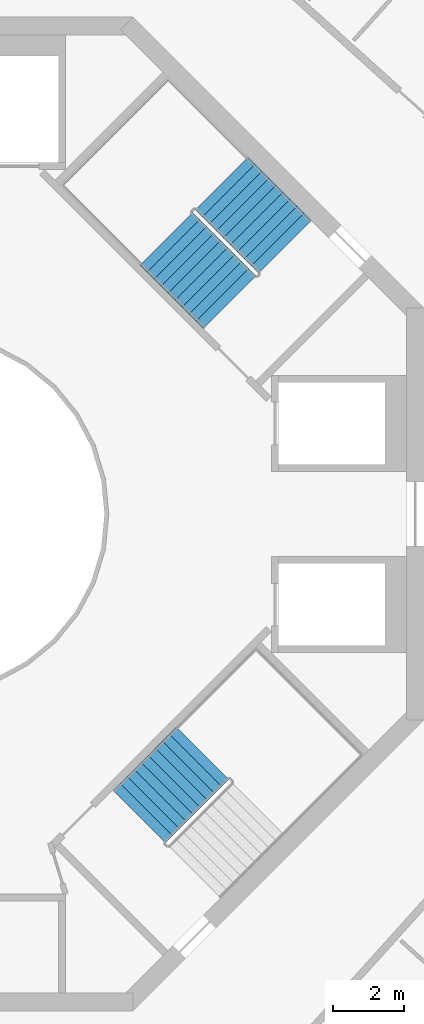
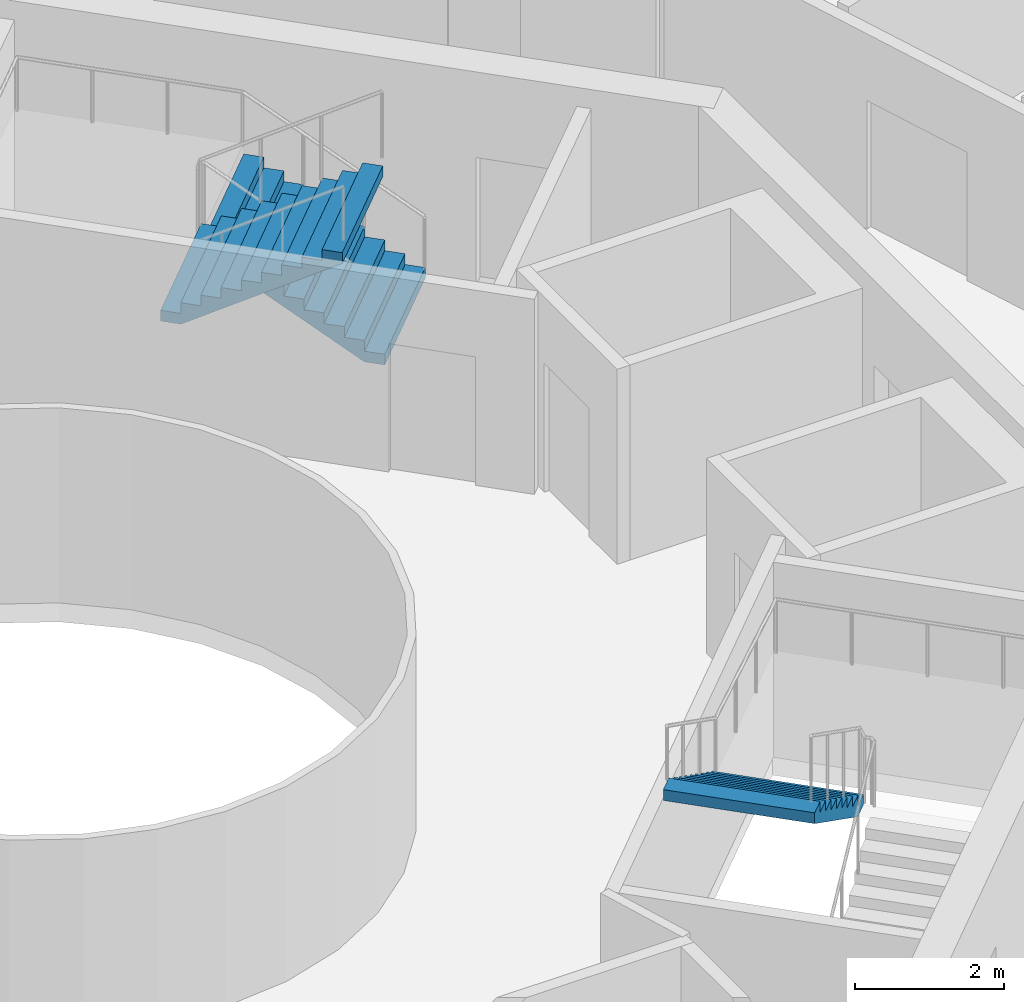
# One storey, part 21 of 22: 3 stair flights, 2 elements without a shape of their own.
"""IFC4 building model written with IfcOpenShell, lengths in metres."""

from ifc_helpers import new_model, si_unit, direction, frame, origin, place, context, subcontext, project, spatial, triangles, material, type_object, element, aggregate, save


model = new_model("IFC4")

# Units and contexts
model_context = context("Model", 3, precision=1e-05, world=origin(), true_north=direction((0.0, 1.0)))
body_context = subcontext(model_context, "Body", "Model", "MODEL_VIEW")
ifc_project = project(units=[si_unit("LENGTHUNIT", "METRE"), si_unit("AREAUNIT", "SQUARE_METRE"), si_unit("VOLUMEUNIT", "CUBIC_METRE"), si_unit("PLANEANGLEUNIT", "RADIAN"), si_unit("MASSUNIT", "GRAM", prefix="KILO")], contexts=[model_context])

# Site, building, storey
site_placement = place(None, origin())
site = spatial("IfcSite", under=ifc_project, at=site_placement, CompositionType="ELEMENT")
building_placement = place(site_placement, origin())
building = spatial("IfcBuilding", under=site, at=building_placement, Name="Verdalira Terraces Hotel", CompositionType="ELEMENT")
storey_placement = place(building_placement, frame((0.0, 0.0, 230.5)))
storey = spatial("IfcBuildingStorey", under=building, at=storey_placement, Name="L56", CompositionType="ELEMENT", Elevation=230.5)

# Stair, stair flights
ifc_material_1 = material(Name="Concrete C40", Category="concrete")
stair_type = type_object("IfcStairType", Name="Core stair 20 risers 2100 mm wide", PredefinedType="HALF_TURN_STAIR", material=ifc_material_1)
stair_1_placement = place(storey_placement, origin())
stair_1 = element("IfcStair", 1, at=stair_1_placement, inside=storey, type_object=stair_type, Name="L56 Exit stair ST1", PredefinedType="HALF_TURN_STAIR")
ifc_material_2 = material(Name="Concrete C40", Category="concrete")
stair_flight_type = type_object("IfcStairFlightType", Name="Core stair flight 20 risers 2100 mm wide", PredefinedType="STRAIGHT", material=ifc_material_2)
stair_flight_1_placement = place(storey_placement, frame((10.076172, 7.530762, 0.0), z_axis=(0.0, 0.0, 1.0), x_axis=(-0.707106781, 0.707106781, 0.0)))
stair_flight_1 = element("IfcStairFlight", 2, at=stair_flight_1_placement, type_object=stair_flight_type, Name="ST1 flight 1", NumberOfRisers=10, NumberOfTreads=9, PredefinedType="STRAIGHT", RiserHeight=0.175, TreadLength=0.28, context=body_context, shape_type="Tessellation", body=[
    triangles([(0.0, 1.050049, 0.0), (0.282715, 1.050049, 0.0), (2.52002, 1.050049, 1.398193), (0.0, -1.050049, 0.0), (0.282715, -1.050049, 0.0), (2.52002, -1.050049, 1.398193), (2.52002, 1.050049, 1.574951), (2.23999, 1.050049, 1.574951), (2.52002, -1.050049, 1.574951), (2.23999, -1.050049, 1.574951), (2.23999, 1.050049, 1.399902), (2.23999, -1.050049, 1.399902), (1.959961, 1.050049, 1.399902), (1.959961, -1.050049, 1.399902), (1.959961, 1.050049, 1.225098), (1.959961, -1.050049, 1.225098), (1.679932, 1.050049, 1.225098), (1.679932, 1.050049, 1.050049), (1.679932, -1.050049, 1.225098), (1.679932, -1.050049, 1.050049), (1.399902, 1.050049, 1.050049), (1.399902, 1.050049, 0.875), (1.399902, -1.050049, 1.050049), (1.399902, -1.050049, 0.875), (1.120117, 1.050049, 0.875), (1.120117, 1.050049, 0.699951), (1.120117, -1.050049, 0.875), (1.120117, -1.050049, 0.699951), (0.840088, 1.050049, 0.699951), (0.840088, 1.050049, 0.524902), (0.840088, -1.050049, 0.699951), (0.840088, -1.050049, 0.524902), (0.560059, 1.050049, 0.524902), (0.560059, 1.050049, 0.350098), (0.560059, -1.050049, 0.524902), (0.560059, -1.050049, 0.350098), (0.280029, 1.050049, 0.350098), (0.280029, 1.050049, 0.175049), (0.280029, -1.050049, 0.350098), (0.280029, -1.050049, 0.175049), (0.0, 1.050049, 0.175049), (0.0, -1.050049, 0.175049), (0.0, -0.984421, 0.0), (0.0, -0.984421, 0.175049), (0.0, -0.918793, 0.0), (0.0, -0.918793, 0.175049), (0.0, -0.853165, 0.0), (0.0, -0.853165, 0.175049), (0.0, -0.787537, 0.0), (0.0, -0.787537, 0.175049), (0.0, -0.721909, 0.0), (0.0, -0.721909, 0.175049), (0.0, -0.656281, 0.0), (0.0, -0.656281, 0.175049), (0.0, -0.590652, 0.0), (0.0, -0.590652, 0.175049), (0.0, -0.525024, 0.0), (0.0, -0.525024, 0.175049), (0.0, -0.459396, 0.0), (0.0, -0.459396, 0.175049), (0.0, -0.393768, 0.0), (0.0, -0.393768, 0.175049), (0.0, -0.32814, 0.0), (0.0, -0.32814, 0.175049), (0.0, -0.262512, 0.0), (0.0, -0.262512, 0.175049), (0.0, -0.196884, 0.0), (0.0, -0.196884, 0.175049), (0.0, -0.131256, 0.0), (0.0, -0.131256, 0.175049), (0.0, -0.065628, 0.0), (0.0, -0.065628, 0.175049), (0.0, 0.0, 0.0), (0.0, 0.0, 0.175049), (0.0, 0.065628, 0.0), (0.0, 0.065628, 0.175049), (0.0, 0.131256, 0.0), (0.0, 0.131256, 0.175049), (0.0, 0.196884, 0.0), (0.0, 0.196884, 0.175049), (0.0, 0.262512, 0.0), (0.0, 0.262512, 0.175049), (0.0, 0.32814, 0.0), (0.0, 0.32814, 0.175049), (0.0, 0.393768, 0.0), (0.0, 0.393768, 0.175049), (0.0, 0.459396, 0.0), (0.0, 0.459396, 0.175049), (0.0, 0.525024, 0.0), (0.0, 0.525024, 0.175049), (0.0, 0.590652, 0.0), (0.0, 0.590652, 0.175049), (0.0, 0.656281, 0.0), (0.0, 0.656281, 0.175049), (0.0, 0.721909, 0.0), (0.0, 0.721909, 0.175049), (0.0, 0.787537, 0.0), (0.0, 0.787537, 0.175049), (0.0, 0.853165, 0.0), (0.0, 0.853165, 0.175049), (0.0, 0.918793, 0.0), (0.0, 0.918793, 0.175049), (0.0, 0.984421, 0.0), (0.0, 0.984421, 0.175049), (2.52002, -0.984421, 1.574951), (2.52002, -0.918793, 1.574951), (2.52002, -0.853165, 1.574951), (2.52002, -0.787537, 1.574951), (2.52002, -0.721909, 1.574951), (2.52002, -0.656281, 1.574951), (2.52002, -0.590652, 1.574951), (2.52002, -0.525024, 1.574951), (2.52002, -0.459396, 1.574951), (2.52002, -0.393768, 1.574951), (2.52002, -0.32814, 1.574951), (2.52002, -0.262512, 1.574951), (2.52002, -0.196884, 1.574951), (2.52002, -0.131256, 1.574951), (2.52002, -0.065628, 1.574951), (2.52002, 0.0, 1.574951), (2.52002, 0.065628, 1.574951), (2.52002, 0.131256, 1.574951), (2.52002, 0.196884, 1.574951), (2.52002, 0.262512, 1.574951), (2.52002, 0.32814, 1.574951), (2.52002, 0.393768, 1.574951), (2.52002, 0.459396, 1.574951), (2.52002, 0.525024, 1.574951), (2.52002, 0.590652, 1.574951), (2.52002, 0.656281, 1.574951), (2.52002, 0.721909, 1.574951), (2.52002, 0.787537, 1.574951), (2.52002, 0.853165, 1.574951), (2.52002, 0.918793, 1.574951), (2.52002, 0.984421, 1.574951), (2.52002, -0.984421, 1.398193), (2.52002, -0.918793, 1.398193), (2.52002, -0.853165, 1.398193), (2.52002, -0.787537, 1.398193), (2.52002, -0.721909, 1.398193), (2.52002, -0.656281, 1.398193), (2.52002, -0.590652, 1.398193), (2.52002, -0.525024, 1.398193), (2.52002, -0.459396, 1.398193), (2.52002, -0.393768, 1.398193), (2.52002, -0.32814, 1.398193), (2.52002, -0.262512, 1.398193), (2.52002, -0.196884, 1.398193), (2.52002, -0.131256, 1.398193), (2.52002, -0.065628, 1.398193), (2.52002, 0.0, 1.398193), (2.52002, 0.065628, 1.398193), (2.52002, 0.131256, 1.398193), (2.52002, 0.196884, 1.398193), (2.52002, 0.262512, 1.398193), (2.52002, 0.32814, 1.398193), (2.52002, 0.393768, 1.398193), (2.52002, 0.459396, 1.398193), (2.52002, 0.525024, 1.398193), (2.52002, 0.590652, 1.398193), (2.52002, 0.656281, 1.398193), (2.52002, 0.721909, 1.398193), (2.52002, 0.787537, 1.398193), (2.52002, 0.853165, 1.398193), (2.52002, 0.918793, 1.398193), (2.52002, 0.984421, 1.398193)], [[1, 3, 2], [4, 5, 6], [3, 8, 7], [6, 9, 10], [3, 11, 8], [6, 10, 12], [3, 13, 11], [6, 12, 14], [3, 15, 13], [6, 14, 16], [15, 18, 17], [16, 19, 20], [3, 18, 15], [6, 16, 20], [18, 22, 21], [20, 23, 24], [3, 22, 18], [6, 20, 24], [22, 26, 25], [24, 27, 28], [3, 26, 22], [6, 24, 28], [26, 30, 29], [28, 31, 32], [3, 30, 26], [6, 28, 32], [1, 30, 3], [4, 6, 32], [30, 34, 33], [32, 35, 36], [34, 38, 37], [36, 39, 40], [30, 38, 34], [32, 36, 40], [1, 38, 30], [4, 32, 40], [38, 1, 41], [40, 42, 4], [4, 44, 43], [4, 42, 44], [43, 46, 45], [43, 44, 46], [45, 48, 47], [45, 46, 48], [47, 50, 49], [47, 48, 50], [49, 52, 51], [49, 50, 52], [51, 54, 53], [51, 52, 54], [53, 56, 55], [53, 54, 56], [55, 58, 57], [55, 56, 58], [57, 60, 59], [57, 58, 60], [59, 62, 61], [59, 60, 62], [61, 64, 63], [61, 62, 64], [63, 66, 65], [63, 64, 66], [65, 68, 67], [65, 66, 68], [67, 70, 69], [67, 68, 70], [69, 72, 71], [69, 70, 72], [71, 74, 73], [71, 72, 74], [73, 76, 75], [73, 74, 76], [75, 78, 77], [75, 76, 78], [77, 80, 79], [77, 78, 80], [79, 82, 81], [79, 80, 82], [81, 84, 83], [81, 82, 84], [83, 86, 85], [83, 84, 86], [85, 88, 87], [85, 86, 88], [87, 90, 89], [87, 88, 90], [89, 92, 91], [89, 90, 92], [91, 94, 93], [91, 92, 94], [93, 96, 95], [93, 94, 96], [95, 98, 97], [95, 96, 98], [97, 100, 99], [97, 98, 100], [99, 102, 101], [99, 100, 102], [101, 104, 103], [101, 102, 104], [103, 41, 1], [103, 104, 41], [42, 40, 44], [44, 40, 46], [46, 40, 48], [48, 40, 50], [50, 40, 52], [52, 40, 54], [54, 40, 56], [56, 40, 58], [58, 40, 60], [60, 40, 62], [62, 40, 64], [64, 40, 66], [66, 40, 68], [68, 40, 70], [70, 40, 72], [72, 40, 74], [74, 40, 76], [76, 40, 78], [78, 40, 80], [80, 40, 82], [82, 40, 84], [84, 40, 86], [86, 40, 88], [88, 40, 90], [90, 40, 92], [92, 40, 94], [94, 40, 96], [96, 40, 98], [98, 40, 100], [100, 40, 102], [102, 40, 104], [104, 40, 41], [41, 40, 38], [40, 37, 38], [40, 39, 37], [39, 34, 37], [39, 36, 34], [36, 33, 34], [36, 35, 33], [35, 30, 33], [35, 32, 30], [32, 29, 30], [32, 31, 29], [31, 26, 29], [31, 28, 26], [28, 25, 26], [28, 27, 25], [27, 22, 25], [27, 24, 22], [24, 21, 22], [24, 23, 21], [23, 18, 21], [23, 20, 18], [20, 17, 18], [20, 19, 17], [19, 15, 17], [19, 16, 15], [16, 13, 15], [16, 14, 13], [14, 11, 13], [14, 12, 11], [12, 8, 11], [12, 10, 8], [9, 105, 10], [105, 106, 10], [106, 107, 10], [107, 108, 10], [108, 109, 10], [109, 110, 10], [110, 111, 10], [111, 112, 10], [112, 113, 10], [113, 114, 10], [114, 115, 10], [115, 116, 10], [116, 117, 10], [117, 118, 10], [118, 119, 10], [119, 120, 10], [120, 121, 10], [121, 122, 10], [122, 123, 10], [123, 124, 10], [124, 125, 10], [125, 126, 10], [126, 127, 10], [127, 128, 10], [128, 129, 10], [129, 130, 10], [130, 131, 10], [131, 132, 10], [132, 133, 10], [133, 134, 10], [134, 135, 10], [135, 7, 10], [7, 8, 10], [9, 136, 105], [9, 6, 136], [105, 137, 106], [105, 136, 137], [106, 138, 107], [106, 137, 138], [107, 139, 108], [107, 138, 139], [108, 140, 109], [108, 139, 140], [109, 141, 110], [109, 140, 141], [110, 142, 111], [110, 141, 142], [111, 143, 112], [111, 142, 143], [112, 144, 113], [112, 143, 144], [113, 145, 114], [113, 144, 145], [114, 146, 115], [114, 145, 146], [115, 147, 116], [115, 146, 147], [116, 148, 117], [116, 147, 148], [117, 149, 118], [117, 148, 149], [118, 150, 119], [118, 149, 150], [119, 151, 120], [119, 150, 151], [120, 152, 121], [120, 151, 152], [121, 153, 122], [121, 152, 153], [122, 154, 123], [122, 153, 154], [123, 155, 124], [123, 154, 155], [124, 156, 125], [124, 155, 156], [125, 157, 126], [125, 156, 157], [126, 158, 127], [126, 157, 158], [127, 159, 128], [127, 158, 159], [128, 160, 129], [128, 159, 160], [129, 161, 130], [129, 160, 161], [130, 162, 131], [130, 161, 162], [131, 163, 132], [131, 162, 163], [132, 164, 133], [132, 163, 164], [133, 165, 134], [133, 164, 165], [134, 166, 135], [134, 165, 166], [135, 3, 7], [135, 166, 3], [6, 5, 136], [136, 5, 137], [137, 5, 138], [138, 5, 139], [139, 5, 140], [140, 5, 141], [141, 5, 142], [142, 5, 143], [143, 5, 144], [144, 5, 145], [145, 5, 146], [146, 5, 147], [147, 5, 148], [148, 5, 149], [149, 5, 150], [150, 5, 151], [151, 5, 152], [152, 5, 153], [153, 5, 154], [154, 5, 155], [155, 5, 156], [156, 5, 157], [157, 5, 158], [158, 5, 159], [159, 5, 160], [160, 5, 161], [161, 5, 162], [162, 5, 163], [163, 5, 164], [164, 5, 165], [165, 5, 166], [166, 5, 3], [3, 5, 2], [4, 43, 5], [43, 45, 5], [45, 47, 5], [47, 49, 5], [49, 51, 5], [51, 53, 5], [53, 55, 5], [55, 57, 5], [57, 59, 5], [59, 61, 5], [61, 63, 5], [63, 65, 5], [65, 67, 5], [67, 69, 5], [69, 71, 5], [71, 73, 5], [73, 75, 5], [75, 77, 5], [77, 79, 5], [79, 81, 5], [81, 83, 5], [83, 85, 5], [85, 87, 5], [87, 89, 5], [89, 91, 5], [91, 93, 5], [93, 95, 5], [95, 97, 5], [97, 99, 5], [99, 101, 5], [101, 103, 5], [103, 1, 5], [1, 2, 5]], closed=True),
])
stair_flight_2_placement = place(storey_placement, frame((6.73877, 7.75708, 1.75), z_axis=(0.0, 0.0, 1.0), x_axis=(0.707106781, -0.707106781, 0.0)))
stair_flight_2 = element("IfcStairFlight", 3, at=stair_flight_2_placement, type_object=stair_flight_type, Name="ST1 flight 2", NumberOfRisers=10, NumberOfTreads=9, PredefinedType="STRAIGHT", RiserHeight=0.175, TreadLength=0.28, context=body_context, shape_type="Tessellation", body=[
    triangles([(0.0, 1.050049, 0.0), (0.282715, 1.050049, 0.0), (2.52002, 1.050049, 1.398193), (0.0, -1.050049, 0.0), (0.282715, -1.050049, 0.0), (2.52002, -1.050049, 1.398193), (2.52002, 1.050049, 1.574951), (2.23999, 1.050049, 1.574951), (2.52002, -1.050049, 1.574951), (2.23999, -1.050049, 1.574951), (2.23999, 1.050049, 1.399902), (2.23999, -1.050049, 1.399902), (1.959961, 1.050049, 1.399902), (1.959961, -1.050049, 1.399902), (1.959961, 1.050049, 1.225098), (1.959961, -1.050049, 1.225098), (1.679932, 1.050049, 1.225098), (1.679932, 1.050049, 1.050049), (1.679932, -1.050049, 1.225098), (1.679932, -1.050049, 1.050049), (1.399902, 1.050049, 1.050049), (1.399902, 1.050049, 0.875), (1.399902, -1.050049, 1.050049), (1.399902, -1.050049, 0.875), (1.120117, 1.050049, 0.875), (1.120117, 1.050049, 0.699951), (1.120117, -1.050049, 0.875), (1.120117, -1.050049, 0.699951), (0.840088, 1.050049, 0.699951), (0.840088, 1.050049, 0.524902), (0.840088, -1.050049, 0.699951), (0.840088, -1.050049, 0.524902), (0.560059, 1.050049, 0.524902), (0.560059, 1.050049, 0.350098), (0.560059, -1.050049, 0.524902), (0.560059, -1.050049, 0.350098), (0.280029, 1.050049, 0.350098), (0.280029, 1.050049, 0.175049), (0.280029, -1.050049, 0.350098), (0.280029, -1.050049, 0.175049), (0.0, 1.050049, 0.175049), (0.0, -1.050049, 0.175049), (0.0, -0.984421, 0.0), (0.0, -0.984421, 0.175049), (0.0, -0.918793, 0.0), (0.0, -0.918793, 0.175049), (0.0, -0.853165, 0.0), (0.0, -0.853165, 0.175049), (0.0, -0.787537, 0.0), (0.0, -0.787537, 0.175049), (0.0, -0.721909, 0.0), (0.0, -0.721909, 0.175049), (0.0, -0.656281, 0.0), (0.0, -0.656281, 0.175049), (0.0, -0.590652, 0.0), (0.0, -0.590652, 0.175049), (0.0, -0.525024, 0.0), (0.0, -0.525024, 0.175049), (0.0, -0.459396, 0.0), (0.0, -0.459396, 0.175049), (0.0, -0.393768, 0.0), (0.0, -0.393768, 0.175049), (0.0, -0.32814, 0.0), (0.0, -0.32814, 0.175049), (0.0, -0.262512, 0.0), (0.0, -0.262512, 0.175049), (0.0, -0.196884, 0.0), (0.0, -0.196884, 0.175049), (0.0, -0.131256, 0.0), (0.0, -0.131256, 0.175049), (0.0, -0.065628, 0.0), (0.0, -0.065628, 0.175049), (0.0, 0.0, 0.0), (0.0, 0.0, 0.175049), (0.0, 0.065628, 0.0), (0.0, 0.065628, 0.175049), (0.0, 0.131256, 0.0), (0.0, 0.131256, 0.175049), (0.0, 0.196884, 0.0), (0.0, 0.196884, 0.175049), (0.0, 0.262512, 0.0), (0.0, 0.262512, 0.175049), (0.0, 0.32814, 0.0), (0.0, 0.32814, 0.175049), (0.0, 0.393768, 0.0), (0.0, 0.393768, 0.175049), (0.0, 0.459396, 0.0), (0.0, 0.459396, 0.175049), (0.0, 0.525024, 0.0), (0.0, 0.525024, 0.175049), (0.0, 0.590652, 0.0), (0.0, 0.590652, 0.175049), (0.0, 0.656281, 0.0), (0.0, 0.656281, 0.175049), (0.0, 0.721909, 0.0), (0.0, 0.721909, 0.175049), (0.0, 0.787537, 0.0), (0.0, 0.787537, 0.175049), (0.0, 0.853165, 0.0), (0.0, 0.853165, 0.175049), (0.0, 0.918793, 0.0), (0.0, 0.918793, 0.175049), (0.0, 0.984421, 0.0), (0.0, 0.984421, 0.175049), (2.52002, -0.984421, 1.574951), (2.52002, -0.918793, 1.574951), (2.52002, -0.853165, 1.574951), (2.52002, -0.787537, 1.574951), (2.52002, -0.721909, 1.574951), (2.52002, -0.656281, 1.574951), (2.52002, -0.590652, 1.574951), (2.52002, -0.525024, 1.574951), (2.52002, -0.459396, 1.574951), (2.52002, -0.393768, 1.574951), (2.52002, -0.32814, 1.574951), (2.52002, -0.262512, 1.574951), (2.52002, -0.196884, 1.574951), (2.52002, -0.131256, 1.574951), (2.52002, -0.065628, 1.574951), (2.52002, 0.0, 1.574951), (2.52002, 0.065628, 1.574951), (2.52002, 0.131256, 1.574951), (2.52002, 0.196884, 1.574951), (2.52002, 0.262512, 1.574951), (2.52002, 0.32814, 1.574951), (2.52002, 0.393768, 1.574951), (2.52002, 0.459396, 1.574951), (2.52002, 0.525024, 1.574951), (2.52002, 0.590652, 1.574951), (2.52002, 0.656281, 1.574951), (2.52002, 0.721909, 1.574951), (2.52002, 0.787537, 1.574951), (2.52002, 0.853165, 1.574951), (2.52002, 0.918793, 1.574951), (2.52002, 0.984421, 1.574951), (2.52002, -0.984421, 1.398193), (2.52002, -0.918793, 1.398193), (2.52002, -0.853165, 1.398193), (2.52002, -0.787537, 1.398193), (2.52002, -0.721909, 1.398193), (2.52002, -0.656281, 1.398193), (2.52002, -0.590652, 1.398193), (2.52002, -0.525024, 1.398193), (2.52002, -0.459396, 1.398193), (2.52002, -0.393768, 1.398193), (2.52002, -0.32814, 1.398193), (2.52002, -0.262512, 1.398193), (2.52002, -0.196884, 1.398193), (2.52002, -0.131256, 1.398193), (2.52002, -0.065628, 1.398193), (2.52002, 0.0, 1.398193), (2.52002, 0.065628, 1.398193), (2.52002, 0.131256, 1.398193), (2.52002, 0.196884, 1.398193), (2.52002, 0.262512, 1.398193), (2.52002, 0.32814, 1.398193), (2.52002, 0.393768, 1.398193), (2.52002, 0.459396, 1.398193), (2.52002, 0.525024, 1.398193), (2.52002, 0.590652, 1.398193), (2.52002, 0.656281, 1.398193), (2.52002, 0.721909, 1.398193), (2.52002, 0.787537, 1.398193), (2.52002, 0.853165, 1.398193), (2.52002, 0.918793, 1.398193), (2.52002, 0.984421, 1.398193)], [[1, 3, 2], [4, 5, 6], [3, 8, 7], [6, 9, 10], [3, 11, 8], [6, 10, 12], [3, 13, 11], [6, 12, 14], [3, 15, 13], [6, 14, 16], [15, 18, 17], [16, 19, 20], [3, 18, 15], [6, 16, 20], [18, 22, 21], [20, 23, 24], [3, 22, 18], [6, 20, 24], [22, 26, 25], [24, 27, 28], [3, 26, 22], [6, 24, 28], [26, 30, 29], [28, 31, 32], [3, 30, 26], [6, 28, 32], [1, 30, 3], [4, 6, 32], [30, 34, 33], [32, 35, 36], [34, 38, 37], [36, 39, 40], [30, 38, 34], [32, 36, 40], [1, 38, 30], [4, 32, 40], [38, 1, 41], [40, 42, 4], [4, 44, 43], [4, 42, 44], [43, 46, 45], [43, 44, 46], [45, 48, 47], [45, 46, 48], [47, 50, 49], [47, 48, 50], [49, 52, 51], [49, 50, 52], [51, 54, 53], [51, 52, 54], [53, 56, 55], [53, 54, 56], [55, 58, 57], [55, 56, 58], [57, 60, 59], [57, 58, 60], [59, 62, 61], [59, 60, 62], [61, 64, 63], [61, 62, 64], [63, 66, 65], [63, 64, 66], [65, 68, 67], [65, 66, 68], [67, 70, 69], [67, 68, 70], [69, 72, 71], [69, 70, 72], [71, 74, 73], [71, 72, 74], [73, 76, 75], [73, 74, 76], [75, 78, 77], [75, 76, 78], [77, 80, 79], [77, 78, 80], [79, 82, 81], [79, 80, 82], [81, 84, 83], [81, 82, 84], [83, 86, 85], [83, 84, 86], [85, 88, 87], [85, 86, 88], [87, 90, 89], [87, 88, 90], [89, 92, 91], [89, 90, 92], [91, 94, 93], [91, 92, 94], [93, 96, 95], [93, 94, 96], [95, 98, 97], [95, 96, 98], [97, 100, 99], [97, 98, 100], [99, 102, 101], [99, 100, 102], [101, 104, 103], [101, 102, 104], [103, 41, 1], [103, 104, 41], [42, 40, 44], [44, 40, 46], [46, 40, 48], [48, 40, 50], [50, 40, 52], [52, 40, 54], [54, 40, 56], [56, 40, 58], [58, 40, 60], [60, 40, 62], [62, 40, 64], [64, 40, 66], [66, 40, 68], [68, 40, 70], [70, 40, 72], [72, 40, 74], [74, 40, 76], [76, 40, 78], [78, 40, 80], [80, 40, 82], [82, 40, 84], [84, 40, 86], [86, 40, 88], [88, 40, 90], [90, 40, 92], [92, 40, 94], [94, 40, 96], [96, 40, 98], [98, 40, 100], [100, 40, 102], [102, 40, 104], [104, 40, 41], [41, 40, 38], [40, 37, 38], [40, 39, 37], [39, 34, 37], [39, 36, 34], [36, 33, 34], [36, 35, 33], [35, 30, 33], [35, 32, 30], [32, 29, 30], [32, 31, 29], [31, 26, 29], [31, 28, 26], [28, 25, 26], [28, 27, 25], [27, 22, 25], [27, 24, 22], [24, 21, 22], [24, 23, 21], [23, 18, 21], [23, 20, 18], [20, 17, 18], [20, 19, 17], [19, 15, 17], [19, 16, 15], [16, 13, 15], [16, 14, 13], [14, 11, 13], [14, 12, 11], [12, 8, 11], [12, 10, 8], [9, 105, 10], [105, 106, 10], [106, 107, 10], [107, 108, 10], [108, 109, 10], [109, 110, 10], [110, 111, 10], [111, 112, 10], [112, 113, 10], [113, 114, 10], [114, 115, 10], [115, 116, 10], [116, 117, 10], [117, 118, 10], [118, 119, 10], [119, 120, 10], [120, 121, 10], [121, 122, 10], [122, 123, 10], [123, 124, 10], [124, 125, 10], [125, 126, 10], [126, 127, 10], [127, 128, 10], [128, 129, 10], [129, 130, 10], [130, 131, 10], [131, 132, 10], [132, 133, 10], [133, 134, 10], [134, 135, 10], [135, 7, 10], [7, 8, 10], [9, 136, 105], [9, 6, 136], [105, 137, 106], [105, 136, 137], [106, 138, 107], [106, 137, 138], [107, 139, 108], [107, 138, 139], [108, 140, 109], [108, 139, 140], [109, 141, 110], [109, 140, 141], [110, 142, 111], [110, 141, 142], [111, 143, 112], [111, 142, 143], [112, 144, 113], [112, 143, 144], [113, 145, 114], [113, 144, 145], [114, 146, 115], [114, 145, 146], [115, 147, 116], [115, 146, 147], [116, 148, 117], [116, 147, 148], [117, 149, 118], [117, 148, 149], [118, 150, 119], [118, 149, 150], [119, 151, 120], [119, 150, 151], [120, 152, 121], [120, 151, 152], [121, 153, 122], [121, 152, 153], [122, 154, 123], [122, 153, 154], [123, 155, 124], [123, 154, 155], [124, 156, 125], [124, 155, 156], [125, 157, 126], [125, 156, 157], [126, 158, 127], [126, 157, 158], [127, 159, 128], [127, 158, 159], [128, 160, 129], [128, 159, 160], [129, 161, 130], [129, 160, 161], [130, 162, 131], [130, 161, 162], [131, 163, 132], [131, 162, 163], [132, 164, 133], [132, 163, 164], [133, 165, 134], [133, 164, 165], [134, 166, 135], [134, 165, 166], [135, 3, 7], [135, 166, 3], [6, 5, 136], [136, 5, 137], [137, 5, 138], [138, 5, 139], [139, 5, 140], [140, 5, 141], [141, 5, 142], [142, 5, 143], [143, 5, 144], [144, 5, 145], [145, 5, 146], [146, 5, 147], [147, 5, 148], [148, 5, 149], [149, 5, 150], [150, 5, 151], [151, 5, 152], [152, 5, 153], [153, 5, 154], [154, 5, 155], [155, 5, 156], [156, 5, 157], [157, 5, 158], [158, 5, 159], [159, 5, 160], [160, 5, 161], [161, 5, 162], [162, 5, 163], [163, 5, 164], [164, 5, 165], [165, 5, 166], [166, 5, 3], [3, 5, 2], [4, 43, 5], [43, 45, 5], [45, 47, 5], [47, 49, 5], [49, 51, 5], [51, 53, 5], [53, 55, 5], [55, 57, 5], [57, 59, 5], [59, 61, 5], [61, 63, 5], [63, 65, 5], [65, 67, 5], [67, 69, 5], [69, 71, 5], [71, 73, 5], [73, 75, 5], [75, 77, 5], [77, 79, 5], [79, 81, 5], [81, 83, 5], [83, 85, 5], [85, 87, 5], [87, 89, 5], [89, 91, 5], [91, 93, 5], [93, 95, 5], [95, 97, 5], [97, 99, 5], [99, 101, 5], [101, 103, 5], [103, 1, 5], [1, 2, 5]], closed=True),
])
aggregate(stair_1, [stair_flight_1, stair_flight_2])

# Stair, stair flight
stair_2_placement = place(storey_placement, origin())
stair_2 = element("IfcStair", 4, at=stair_2_placement, inside=storey, type_object=stair_type, Name="L56 Exit stair ST3", PredefinedType="HALF_TURN_STAIR")
stair_flight_3_placement = place(storey_placement, frame((7.75708, -6.73877, 1.75), z_axis=(0.0, 0.0, 1.0), x_axis=(-0.707106781, -0.707106781, 0.0)))
stair_flight_3 = element("IfcStairFlight", 5, at=stair_flight_3_placement, type_object=stair_flight_type, Name="ST3 flight 2", NumberOfRisers=10, NumberOfTreads=9, PredefinedType="STRAIGHT", RiserHeight=0.175, TreadLength=0.28, context=body_context, shape_type="Tessellation", body=[
    triangles([(0.0, 1.050049, 0.0), (0.282715, 1.050049, 0.0), (2.52002, 1.050049, 1.398193), (0.0, -1.050049, 0.0), (0.282715, -1.050049, 0.0), (2.52002, -1.050049, 1.398193), (2.52002, 1.050049, 1.574951), (2.23999, 1.050049, 1.574951), (2.52002, -1.050049, 1.574951), (2.23999, -1.050049, 1.574951), (2.23999, 1.050049, 1.399902), (2.23999, -1.050049, 1.399902), (1.959961, 1.050049, 1.399902), (1.959961, -1.050049, 1.399902), (1.959961, 1.050049, 1.225098), (1.959961, -1.050049, 1.225098), (1.679932, 1.050049, 1.225098), (1.679932, 1.050049, 1.050049), (1.679932, -1.050049, 1.225098), (1.679932, -1.050049, 1.050049), (1.399902, 1.050049, 1.050049), (1.399902, 1.050049, 0.875), (1.399902, -1.050049, 1.050049), (1.399902, -1.050049, 0.875), (1.120117, 1.050049, 0.875), (1.120117, 1.050049, 0.699951), (1.120117, -1.050049, 0.875), (1.120117, -1.050049, 0.699951), (0.840088, 1.050049, 0.699951), (0.840088, 1.050049, 0.524902), (0.840088, -1.050049, 0.699951), (0.840088, -1.050049, 0.524902), (0.560059, 1.050049, 0.524902), (0.560059, 1.050049, 0.350098), (0.560059, -1.050049, 0.524902), (0.560059, -1.050049, 0.350098), (0.280029, 1.050049, 0.350098), (0.280029, 1.050049, 0.175049), (0.280029, -1.050049, 0.350098), (0.280029, -1.050049, 0.175049), (0.0, 1.050049, 0.175049), (0.0, -1.050049, 0.175049), (0.0, -0.984421, 0.0), (0.0, -0.984421, 0.175049), (0.0, -0.918793, 0.0), (0.0, -0.918793, 0.175049), (0.0, -0.853165, 0.0), (0.0, -0.853165, 0.175049), (0.0, -0.787537, 0.0), (0.0, -0.787537, 0.175049), (0.0, -0.721909, 0.0), (0.0, -0.721909, 0.175049), (0.0, -0.656281, 0.0), (0.0, -0.656281, 0.175049), (0.0, -0.590652, 0.0), (0.0, -0.590652, 0.175049), (0.0, -0.525024, 0.0), (0.0, -0.525024, 0.175049), (0.0, -0.459396, 0.0), (0.0, -0.459396, 0.175049), (0.0, -0.393768, 0.0), (0.0, -0.393768, 0.175049), (0.0, -0.32814, 0.0), (0.0, -0.32814, 0.175049), (0.0, -0.262512, 0.0), (0.0, -0.262512, 0.175049), (0.0, -0.196884, 0.0), (0.0, -0.196884, 0.175049), (0.0, -0.131256, 0.0), (0.0, -0.131256, 0.175049), (0.0, -0.065628, 0.0), (0.0, -0.065628, 0.175049), (0.0, 0.0, 0.0), (0.0, 0.0, 0.175049), (0.0, 0.065628, 0.0), (0.0, 0.065628, 0.175049), (0.0, 0.131256, 0.0), (0.0, 0.131256, 0.175049), (0.0, 0.196884, 0.0), (0.0, 0.196884, 0.175049), (0.0, 0.262512, 0.0), (0.0, 0.262512, 0.175049), (0.0, 0.32814, 0.0), (0.0, 0.32814, 0.175049), (0.0, 0.393768, 0.0), (0.0, 0.393768, 0.175049), (0.0, 0.459396, 0.0), (0.0, 0.459396, 0.175049), (0.0, 0.525024, 0.0), (0.0, 0.525024, 0.175049), (0.0, 0.590652, 0.0), (0.0, 0.590652, 0.175049), (0.0, 0.656281, 0.0), (0.0, 0.656281, 0.175049), (0.0, 0.721909, 0.0), (0.0, 0.721909, 0.175049), (0.0, 0.787537, 0.0), (0.0, 0.787537, 0.175049), (0.0, 0.853165, 0.0), (0.0, 0.853165, 0.175049), (0.0, 0.918793, 0.0), (0.0, 0.918793, 0.175049), (0.0, 0.984421, 0.0), (0.0, 0.984421, 0.175049), (2.52002, -0.984421, 1.574951), (2.52002, -0.918793, 1.574951), (2.52002, -0.853165, 1.574951), (2.52002, -0.787537, 1.574951), (2.52002, -0.721909, 1.574951), (2.52002, -0.656281, 1.574951), (2.52002, -0.590652, 1.574951), (2.52002, -0.525024, 1.574951), (2.52002, -0.459396, 1.574951), (2.52002, -0.393768, 1.574951), (2.52002, -0.32814, 1.574951), (2.52002, -0.262512, 1.574951), (2.52002, -0.196884, 1.574951), (2.52002, -0.131256, 1.574951), (2.52002, -0.065628, 1.574951), (2.52002, 0.0, 1.574951), (2.52002, 0.065628, 1.574951), (2.52002, 0.131256, 1.574951), (2.52002, 0.196884, 1.574951), (2.52002, 0.262512, 1.574951), (2.52002, 0.32814, 1.574951), (2.52002, 0.393768, 1.574951), (2.52002, 0.459396, 1.574951), (2.52002, 0.525024, 1.574951), (2.52002, 0.590652, 1.574951), (2.52002, 0.656281, 1.574951), (2.52002, 0.721909, 1.574951), (2.52002, 0.787537, 1.574951), (2.52002, 0.853165, 1.574951), (2.52002, 0.918793, 1.574951), (2.52002, 0.984421, 1.574951), (2.52002, -0.984421, 1.398193), (2.52002, -0.918793, 1.398193), (2.52002, -0.853165, 1.398193), (2.52002, -0.787537, 1.398193), (2.52002, -0.721909, 1.398193), (2.52002, -0.656281, 1.398193), (2.52002, -0.590652, 1.398193), (2.52002, -0.525024, 1.398193), (2.52002, -0.459396, 1.398193), (2.52002, -0.393768, 1.398193), (2.52002, -0.32814, 1.398193), (2.52002, -0.262512, 1.398193), (2.52002, -0.196884, 1.398193), (2.52002, -0.131256, 1.398193), (2.52002, -0.065628, 1.398193), (2.52002, 0.0, 1.398193), (2.52002, 0.065628, 1.398193), (2.52002, 0.131256, 1.398193), (2.52002, 0.196884, 1.398193), (2.52002, 0.262512, 1.398193), (2.52002, 0.32814, 1.398193), (2.52002, 0.393768, 1.398193), (2.52002, 0.459396, 1.398193), (2.52002, 0.525024, 1.398193), (2.52002, 0.590652, 1.398193), (2.52002, 0.656281, 1.398193), (2.52002, 0.721909, 1.398193), (2.52002, 0.787537, 1.398193), (2.52002, 0.853165, 1.398193), (2.52002, 0.918793, 1.398193), (2.52002, 0.984421, 1.398193)], [[1, 3, 2], [4, 5, 6], [3, 8, 7], [6, 9, 10], [3, 11, 8], [6, 10, 12], [3, 13, 11], [6, 12, 14], [3, 15, 13], [6, 14, 16], [15, 18, 17], [16, 19, 20], [3, 18, 15], [6, 16, 20], [18, 22, 21], [20, 23, 24], [3, 22, 18], [6, 20, 24], [22, 26, 25], [24, 27, 28], [3, 26, 22], [6, 24, 28], [26, 30, 29], [28, 31, 32], [3, 30, 26], [6, 28, 32], [1, 30, 3], [4, 6, 32], [30, 34, 33], [32, 35, 36], [34, 38, 37], [36, 39, 40], [30, 38, 34], [32, 36, 40], [1, 38, 30], [4, 32, 40], [38, 1, 41], [40, 42, 4], [4, 44, 43], [4, 42, 44], [43, 46, 45], [43, 44, 46], [45, 48, 47], [45, 46, 48], [47, 50, 49], [47, 48, 50], [49, 52, 51], [49, 50, 52], [51, 54, 53], [51, 52, 54], [53, 56, 55], [53, 54, 56], [55, 58, 57], [55, 56, 58], [57, 60, 59], [57, 58, 60], [59, 62, 61], [59, 60, 62], [61, 64, 63], [61, 62, 64], [63, 66, 65], [63, 64, 66], [65, 68, 67], [65, 66, 68], [67, 70, 69], [67, 68, 70], [69, 72, 71], [69, 70, 72], [71, 74, 73], [71, 72, 74], [73, 76, 75], [73, 74, 76], [75, 78, 77], [75, 76, 78], [77, 80, 79], [77, 78, 80], [79, 82, 81], [79, 80, 82], [81, 84, 83], [81, 82, 84], [83, 86, 85], [83, 84, 86], [85, 88, 87], [85, 86, 88], [87, 90, 89], [87, 88, 90], [89, 92, 91], [89, 90, 92], [91, 94, 93], [91, 92, 94], [93, 96, 95], [93, 94, 96], [95, 98, 97], [95, 96, 98], [97, 100, 99], [97, 98, 100], [99, 102, 101], [99, 100, 102], [101, 104, 103], [101, 102, 104], [103, 41, 1], [103, 104, 41], [42, 40, 44], [44, 40, 46], [46, 40, 48], [48, 40, 50], [50, 40, 52], [52, 40, 54], [54, 40, 56], [56, 40, 58], [58, 40, 60], [60, 40, 62], [62, 40, 64], [64, 40, 66], [66, 40, 68], [68, 40, 70], [70, 40, 72], [72, 40, 74], [74, 40, 76], [76, 40, 78], [78, 40, 80], [80, 40, 82], [82, 40, 84], [84, 40, 86], [86, 40, 88], [88, 40, 90], [90, 40, 92], [92, 40, 94], [94, 40, 96], [96, 40, 98], [98, 40, 100], [100, 40, 102], [102, 40, 104], [104, 40, 41], [41, 40, 38], [40, 37, 38], [40, 39, 37], [39, 34, 37], [39, 36, 34], [36, 33, 34], [36, 35, 33], [35, 30, 33], [35, 32, 30], [32, 29, 30], [32, 31, 29], [31, 26, 29], [31, 28, 26], [28, 25, 26], [28, 27, 25], [27, 22, 25], [27, 24, 22], [24, 21, 22], [24, 23, 21], [23, 18, 21], [23, 20, 18], [20, 17, 18], [20, 19, 17], [19, 15, 17], [19, 16, 15], [16, 13, 15], [16, 14, 13], [14, 11, 13], [14, 12, 11], [12, 8, 11], [12, 10, 8], [9, 105, 10], [105, 106, 10], [106, 107, 10], [107, 108, 10], [108, 109, 10], [109, 110, 10], [110, 111, 10], [111, 112, 10], [112, 113, 10], [113, 114, 10], [114, 115, 10], [115, 116, 10], [116, 117, 10], [117, 118, 10], [118, 119, 10], [119, 120, 10], [120, 121, 10], [121, 122, 10], [122, 123, 10], [123, 124, 10], [124, 125, 10], [125, 126, 10], [126, 127, 10], [127, 128, 10], [128, 129, 10], [129, 130, 10], [130, 131, 10], [131, 132, 10], [132, 133, 10], [133, 134, 10], [134, 135, 10], [135, 7, 10], [7, 8, 10], [9, 136, 105], [9, 6, 136], [105, 137, 106], [105, 136, 137], [106, 138, 107], [106, 137, 138], [107, 139, 108], [107, 138, 139], [108, 140, 109], [108, 139, 140], [109, 141, 110], [109, 140, 141], [110, 142, 111], [110, 141, 142], [111, 143, 112], [111, 142, 143], [112, 144, 113], [112, 143, 144], [113, 145, 114], [113, 144, 145], [114, 146, 115], [114, 145, 146], [115, 147, 116], [115, 146, 147], [116, 148, 117], [116, 147, 148], [117, 149, 118], [117, 148, 149], [118, 150, 119], [118, 149, 150], [119, 151, 120], [119, 150, 151], [120, 152, 121], [120, 151, 152], [121, 153, 122], [121, 152, 153], [122, 154, 123], [122, 153, 154], [123, 155, 124], [123, 154, 155], [124, 156, 125], [124, 155, 156], [125, 157, 126], [125, 156, 157], [126, 158, 127], [126, 157, 158], [127, 159, 128], [127, 158, 159], [128, 160, 129], [128, 159, 160], [129, 161, 130], [129, 160, 161], [130, 162, 131], [130, 161, 162], [131, 163, 132], [131, 162, 163], [132, 164, 133], [132, 163, 164], [133, 165, 134], [133, 164, 165], [134, 166, 135], [134, 165, 166], [135, 3, 7], [135, 166, 3], [6, 5, 136], [136, 5, 137], [137, 5, 138], [138, 5, 139], [139, 5, 140], [140, 5, 141], [141, 5, 142], [142, 5, 143], [143, 5, 144], [144, 5, 145], [145, 5, 146], [146, 5, 147], [147, 5, 148], [148, 5, 149], [149, 5, 150], [150, 5, 151], [151, 5, 152], [152, 5, 153], [153, 5, 154], [154, 5, 155], [155, 5, 156], [156, 5, 157], [157, 5, 158], [158, 5, 159], [159, 5, 160], [160, 5, 161], [161, 5, 162], [162, 5, 163], [163, 5, 164], [164, 5, 165], [165, 5, 166], [166, 5, 3], [3, 5, 2], [4, 43, 5], [43, 45, 5], [45, 47, 5], [47, 49, 5], [49, 51, 5], [51, 53, 5], [53, 55, 5], [55, 57, 5], [57, 59, 5], [59, 61, 5], [61, 63, 5], [63, 65, 5], [65, 67, 5], [67, 69, 5], [69, 71, 5], [71, 73, 5], [73, 75, 5], [75, 77, 5], [77, 79, 5], [79, 81, 5], [81, 83, 5], [83, 85, 5], [85, 87, 5], [87, 89, 5], [89, 91, 5], [91, 93, 5], [93, 95, 5], [95, 97, 5], [97, 99, 5], [99, 101, 5], [101, 103, 5], [103, 1, 5], [1, 2, 5]], closed=True),
])
aggregate(stair_2, [stair_flight_3])

save(model, "model.ifc")
